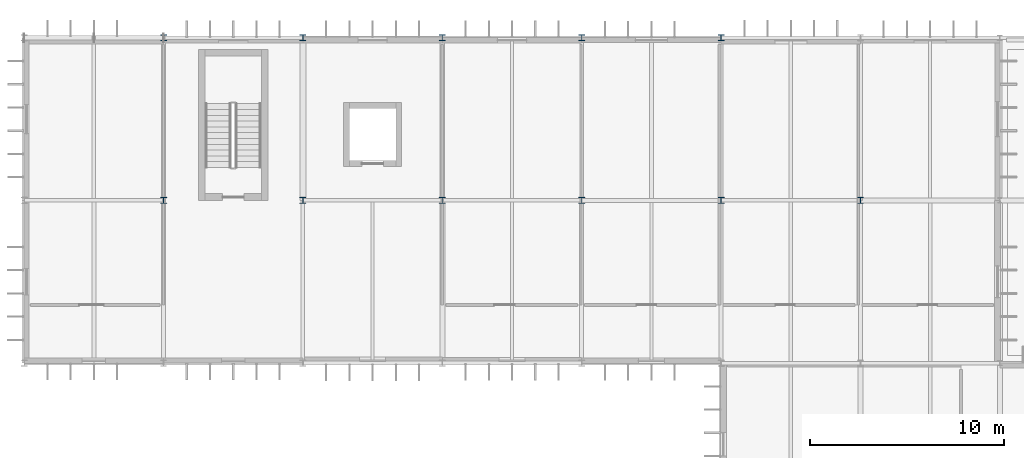
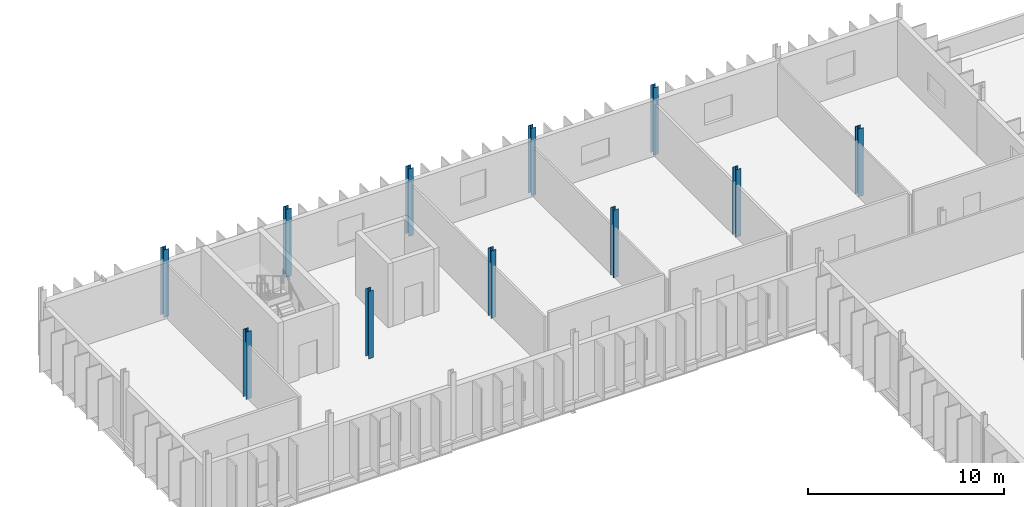
# One storey, part 13 of 61: 11 columns.
"""IFC4 building model written with IfcOpenShell, lengths in metres."""

import ifcopenshell
import ifcopenshell.guid

model = None  # the IFC model being written
_history = None  # IfcOwnerHistory: only IFC2X3 demands one
_inside = {}  # id of a spatial element -> (the spatial element, [elements in it])
_under = {}  # id of a project, library or spatial element -> (it, [spatial elements below it])
_declared = {}  # id of a project -> (the project, [libraries it declares])
_typed = {}  # id of a type object -> (the type object, [elements of that type])
_made_of = {}  # id of a material, layer set ... -> (it, [elements and type objects made of it])


def new_model(schema):
    """Start an empty IFC model of exactly this schema.

    Asked for "IFC4X3", IfcOpenShell would pick the latest addendum, in which some entities
    have other attributes; the version numbers below select the first issue.
    IFC2X3 requires an IfcOwnerHistory on every rooted entity: one is made here for all.
    """
    global model, _history
    if schema == "IFC4X3":
        model = ifcopenshell.file(schema_version=(4, 3, 0, 0))
    else:
        model = ifcopenshell.file(schema=schema)
    _inside.clear()
    _under.clear()
    _declared.clear()
    _typed.clear()
    _made_of.clear()
    _history = None
    if model.schema == "IFC2X3":
        org = make("IfcOrganization", Name="unknown")
        user = make(
            "IfcPersonAndOrganization",
            ThePerson=make("IfcPerson", FamilyName="unknown"),
            TheOrganization=org,
        )
        app = make(
            "IfcApplication",
            ApplicationDeveloper=org,
            Version="unknown",
            ApplicationFullName="unknown",
            ApplicationIdentifier="unknown",
        )
        _history = make(
            "IfcOwnerHistory",
            OwningUser=user,
            OwningApplication=app,
            ChangeAction="ADDED",
            CreationDate=0,
        )
    return model


def make(cls, **values):
    """One entity of the class cls with the attributes given. An attribute that is None is left unset."""
    return model.create_entity(
        cls, **{name: value for name, value in values.items() if value is not None}
    )


def rooted(cls, **values):
    """An entity with a GlobalId (a new one), such as an element, a storey or a relation."""
    return make(cls, GlobalId=ifcopenshell.guid.new(), OwnerHistory=_history, **values)


def si_unit(unit_type, name, prefix=None):
    """IfcSIUnit, for example si_unit("LENGTHUNIT", "METRE", prefix="MILLI")."""
    return make("IfcSIUnit", UnitType=unit_type, Prefix=prefix, Name=name)


def assignment(units):
    """IfcUnitAssignment: the units of a project."""
    return None if units is None else make("IfcUnitAssignment", Units=units)


def point(xyz):
    """IfcCartesianPoint."""
    return None if xyz is None else make("IfcCartesianPoint", Coordinates=xyz)


def direction(xyz):
    """IfcDirection."""
    return None if xyz is None else make("IfcDirection", DirectionRatios=xyz)


def frame(location, z_axis=None, x_axis=None):
    """IfcAxis2Placement3D, a coordinate frame: its origin and axes. An axis left out is left unset."""
    return make(
        "IfcAxis2Placement3D",
        Location=point(location),
        Axis=direction(z_axis),
        RefDirection=direction(x_axis),
    )


def frame_2d(location, x_axis=None):
    """IfcAxis2Placement2D, a coordinate frame in the plane: its origin and x axis."""
    return make(
        "IfcAxis2Placement2D", Location=point(location), RefDirection=direction(x_axis)
    )


def origin():
    """The frame at (0, 0, 0) with its axes left unset."""
    return frame((0.0, 0.0, 0.0))


def origin_2d():
    """The frame at (0, 0) in the plane with its x axis left unset."""
    return frame_2d((0.0, 0.0))


def place(relative_to, where):
    """IfcLocalPlacement: puts the frame where relative to a parent placement (None: the world)."""
    return make(
        "IfcLocalPlacement", PlacementRelTo=relative_to, RelativePlacement=where
    )


def context(
    kind, dimensions, precision=None, world=None, true_north=None, identifier=None
):
    """IfcGeometricRepresentationContext, for example the 3D "Model" context."""
    return make(
        "IfcGeometricRepresentationContext",
        ContextIdentifier=identifier,
        ContextType=kind,
        CoordinateSpaceDimension=dimensions,
        Precision=precision,
        WorldCoordinateSystem=world,
        TrueNorth=true_north,
    )


def subcontext(parent, identifier, kind, view, scale=None):
    """IfcGeometricRepresentationSubContext, for example "Body" below "Model"."""
    return make(
        "IfcGeometricRepresentationSubContext",
        ContextIdentifier=identifier,
        ContextType=kind,
        ParentContext=parent,
        TargetScale=scale,
        TargetView=view,
    )


def project(units=None, contexts=None):
    """IfcProject with its units and contexts."""
    return rooted(
        "IfcProject",
        Name="project",
        RepresentationContexts=contexts,
        UnitsInContext=assignment(units),
    )


def spatial(cls, under=None, at=None, **own):
    """A site, building, storey or space (cls), placed at a placement, below another one or the project."""
    s = rooted(cls, ObjectPlacement=at, **own)
    if under is not None:
        _under.setdefault(under.id(), (under, []))[1].append(s)
    return s


def profile(cls, at=None, kind="AREA", **sizes):
    """A parametric profile (cls). Its sizes go by their IFC names, for example OverallWidth=200.0."""
    return make(cls, ProfileType=kind, Position=at, **sizes)


def i_section(**sizes):
    """IfcIShapeProfileDef."""
    return profile("IfcIShapeProfileDef", **sizes)


def extrude(swept, where, along, depth):
    """IfcExtrudedAreaSolid: the profile swept, set in the frame where, extruded along a direction by depth."""
    return make(
        "IfcExtrudedAreaSolid",
        SweptArea=swept,
        Position=where,
        ExtrudedDirection=direction(along),
        Depth=depth,
    )


def shape(context_of_items, identifier, shape_type, items):
    """IfcShapeRepresentation: the items that make up one representation, for example the "Body"."""
    return make(
        "IfcShapeRepresentation",
        ContextOfItems=context_of_items,
        RepresentationIdentifier=identifier,
        RepresentationType=shape_type,
        Items=items,
    )


def material(Name=None, Category=None):
    """IfcMaterial."""
    return make("IfcMaterial", Name=Name, Category=Category)


def material_profile(
    of_material, cross_section, Name=None, Category=None, Priority=None
):
    """IfcMaterialProfile: a cross section and its material."""
    return make(
        "IfcMaterialProfile",
        Name=Name,
        Material=of_material,
        Profile=cross_section,
        Priority=Priority,
        Category=Category,
    )


def profile_set(profiles, Name=None, composite=None):
    """IfcMaterialProfileSet."""
    return make(
        "IfcMaterialProfileSet",
        Name=Name,
        MaterialProfiles=profiles,
        CompositeProfile=composite,
    )


def made_of(thing, what):
    """Note that an element or type object is made of a material, layer set ...; save() writes the relation."""
    if what is not None:
        _made_of.setdefault(what.id(), (what, []))[1].append(thing)
    return thing


def type_object(cls, material=None, **own):
    """A type object (cls), such as IfcWallType, which elements share."""
    return made_of(rooted(cls, **own), material)


def element(
    cls,
    number,
    at=None,
    inside=None,
    cuts=None,
    type_object=None,
    material=None,
    context=None,
    identifier="Body",
    shape_type=None,
    held_by="IfcProductDefinitionShape",
    body=None,
    shapes=None,
    **own,
):
    """One element of the class cls, such as IfcWall. Its Tag is "e" and its number.

    at: its placement. inside: the storey or other place that contains it. cuts: it is an
    opening in that element (IfcRelVoidsElement). A single representation is given by context,
    identifier, shape_type and body (its items); several are given by shapes. held_by: the class
    of the entity that holds the representations. save() writes the other relations.
    """
    e = rooted(cls, Tag="e%d" % number, ObjectPlacement=at, **own)
    if body is not None:
        shapes = [shape(context, identifier, shape_type, body)]
    if shapes is not None:
        e.Representation = make(held_by, Representations=shapes)
    if inside is not None:
        _inside.setdefault(inside.id(), (inside, []))[1].append(e)
    if cuts is not None:
        rooted(
            "IfcRelVoidsElement", RelatingBuildingElement=cuts, RelatedOpeningElement=e
        )
    if type_object is not None:
        _typed.setdefault(type_object.id(), (type_object, []))[1].append(e)
    return made_of(e, material)


def aggregate(whole, parts):
    """IfcRelAggregates: a whole, such as a stair, and the parts it consists of."""
    return rooted("IfcRelAggregates", RelatingObject=whole, RelatedObjects=parts)


def save(model, path):
    """Write the relations noted so far, then the file.

    IfcRelAggregates (storeys below a building ...), IfcRelContainedInSpatialStructure (elements
    in a storey), IfcRelDefinesByType, IfcRelAssociatesMaterial and IfcRelDeclares: one each for
    every whole, place, type object, material and project.
    """
    for whole, parts in _under.values():
        aggregate(whole, parts)
    for where, things in _inside.values():
        rooted(
            "IfcRelContainedInSpatialStructure",
            RelatedElements=things,
            RelatingStructure=where,
        )
    for kind, things in _typed.values():
        rooted("IfcRelDefinesByType", RelatedObjects=things, RelatingType=kind)
    for what, things in _made_of.values():
        rooted("IfcRelAssociatesMaterial", RelatedObjects=things, RelatingMaterial=what)
    for by, libraries in _declared.values():
        rooted("IfcRelDeclares", RelatingContext=by, RelatedDefinitions=libraries)
    model.write(path)


model = new_model("IFC4")

# Units and contexts
model_context = context("Model", 3, precision=1e-05, world=origin(), true_north=direction((0.0, 1.0)))
body_context = subcontext(model_context, "Body", "Model", "MODEL_VIEW")
ifc_project = project(units=[si_unit("LENGTHUNIT", "METRE"), si_unit("AREAUNIT", "SQUARE_METRE"), si_unit("VOLUMEUNIT", "CUBIC_METRE"), si_unit("PLANEANGLEUNIT", "RADIAN"), si_unit("MASSUNIT", "GRAM", prefix="KILO")], contexts=[model_context])

# Site, building, storey
site_placement = place(None, origin())
site = spatial("IfcSite", under=ifc_project, at=site_placement, CompositionType="ELEMENT")
building_placement = place(site_placement, origin())
building = spatial("IfcBuilding", under=site, at=building_placement, Name="Qelthora Terrace Specialist Clinic", CompositionType="ELEMENT")
storey_placement = place(building_placement, frame((0.0, 0.0, 13.199951171875)))
storey = spatial("IfcBuildingStorey", under=building, at=storey_placement, Name="L03", CompositionType="ELEMENT", Elevation=13.199951171875)

# Columns
ifc_material = material(Name="Steel S355", Category="steel")
ifc_material_profile_1 = material_profile(ifc_material, i_section(OverallWidth=0.305908203125, OverallDepth=0.31103515625, WebThickness=0.010986328125, FlangeThickness=0.01708984375, FilletRadius=0.014892578125, at=origin_2d()), Name="W310X107")
ifc_profile_set_1 = profile_set([ifc_material_profile_1], Name="Steel S355")
column_type_1 = type_object("IfcColumnType", Name="COL-W310X107", PredefinedType="COLUMN", material=ifc_profile_set_1)
for number, where, z_axis, x_axis, name in (
    (1, (64.800048828125, 109.199951171875, 0.0), (0.0, 0.0, 1.0), (1.0, 0.0, 0.0), "Column L03-121"),
    (2, (79.199951171875, 100.800048828125, 0.0), (0.0, 0.0, 1.0), (1.0, 0.0, 0.0), "Column L03-136"),
    (3, (86.39990234375, 100.800048828125, 0.0), (0.0, 0.0, 1.0), (1.0, 0.0, 0.0), "Column L03-145"),
    (4, (93.60009765625, 109.199951171875, 0.0), (0.0, 0.0, 1.0), (1.0, 0.0, 0.0), "Column L03-160"),
):
    element("IfcColumn", number, at=place(storey_placement, frame(where, z_axis=z_axis, x_axis=x_axis)), inside=storey, type_object=column_type_1, Name=name, PredefinedType="COLUMN", context=body_context, shape_type="SweptSolid", body=[
        extrude(i_section(OverallWidth=0.305908203125, OverallDepth=0.31103515625, WebThickness=0.010986328125, FlangeThickness=0.01708984375, FilletRadius=0.014892578125, at=origin_2d()), origin(), (0.0, 0.0, 1.0), 4.199951171875),
    ])
ifc_material_profile_2 = material_profile(ifc_material, i_section(OverallWidth=0.306884765625, OverallDepth=0.31396484375, WebThickness=0.011962890625, FlangeThickness=0.018798828125, FilletRadius=0.01611328125, at=origin_2d()), Name="W310X118")
ifc_profile_set_2 = profile_set([ifc_material_profile_2], Name="Steel S355")
column_type_2 = type_object("IfcColumnType", Name="COL-W310X118", PredefinedType="COLUMN", material=ifc_profile_set_2)
for number, where, z_axis, x_axis, name in (
    (5, (64.800048828125, 100.800048828125, 0.0), (0.0, 0.0, 1.0), (1.0, 0.0, 0.0), "Column L03-120"),
    (6, (72.0, 109.199951171875, 0.0), (0.0, 0.0, 1.0), (1.0, 0.0, 0.0), "Column L03-129"),
    (7, (93.60009765625, 100.800048828125, 0.0), (0.0, 0.0, 1.0), (1.0, 0.0, 0.0), "Column L03-159"),
):
    element("IfcColumn", number, at=place(storey_placement, frame(where, z_axis=z_axis, x_axis=x_axis)), inside=storey, type_object=column_type_2, Name=name, PredefinedType="COLUMN", context=body_context, shape_type="SweptSolid", body=[
        extrude(i_section(OverallWidth=0.306884765625, OverallDepth=0.31396484375, WebThickness=0.011962890625, FlangeThickness=0.018798828125, FilletRadius=0.01611328125, at=origin_2d()), origin(), (0.0, 0.0, 1.0), 4.199951171875),
    ])
ifc_material_profile_3 = material_profile(ifc_material, i_section(OverallWidth=0.304931640625, OverallDepth=0.30810546875, WebThickness=0.010009765625, FlangeThickness=0.015380859375, FilletRadius=0.014892578125, at=origin_2d()), Name="W310X97")
ifc_profile_set_3 = profile_set([ifc_material_profile_3], Name="Steel S355")
column_type_3 = type_object("IfcColumnType", Name="COL-W310X97", PredefinedType="COLUMN", material=ifc_profile_set_3)
for number, where, z_axis, x_axis, name in (
    (8, (72.0, 100.800048828125, 0.0), (0.0, 0.0, 1.0), (1.0, 0.0, 0.0), "Column L03-128"),
    (9, (79.199951171875, 109.199951171875, 0.0), (0.0, 0.0, 1.0), (1.0, 0.0, 0.0), "Column L03-137"),
    (10, (86.39990234375, 109.199951171875, 0.0), (0.0, 0.0, 1.0), (1.0, 0.0, 0.0), "Column L03-146"),
    (11, (100.800048828125, 100.800048828125, 0.0), (0.0, 0.0, 1.0), (1.0, 0.0, 0.0), "Column L03-173"),
):
    element("IfcColumn", number, at=place(storey_placement, frame(where, z_axis=z_axis, x_axis=x_axis)), inside=storey, type_object=column_type_3, Name=name, PredefinedType="COLUMN", context=body_context, shape_type="SweptSolid", body=[
        extrude(i_section(OverallWidth=0.304931640625, OverallDepth=0.30810546875, WebThickness=0.010009765625, FlangeThickness=0.015380859375, FilletRadius=0.014892578125, at=origin_2d()), origin(), (0.0, 0.0, 1.0), 4.199951171875),
    ])

save(model, "model.ifc")
